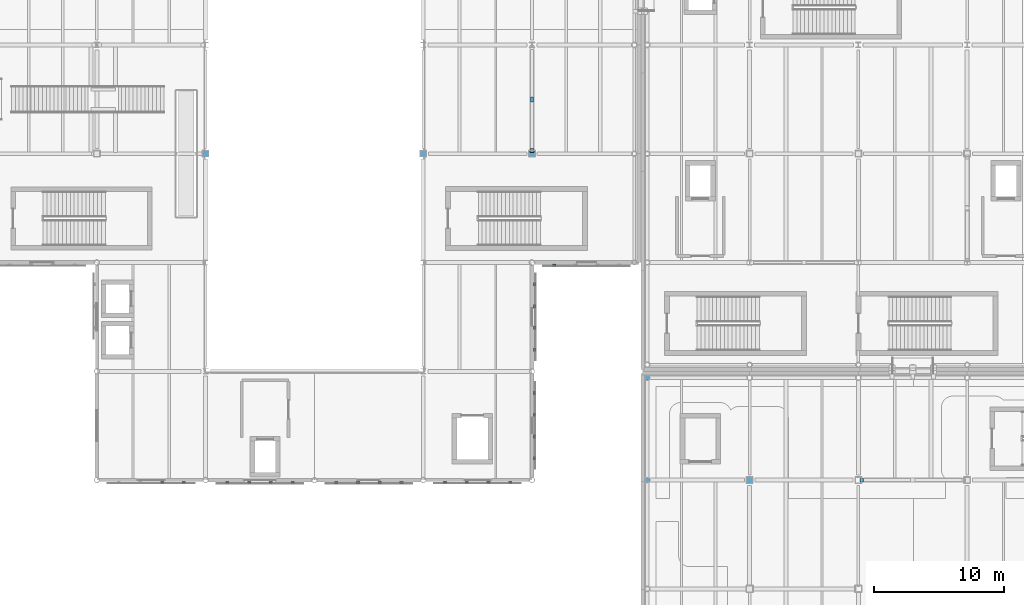
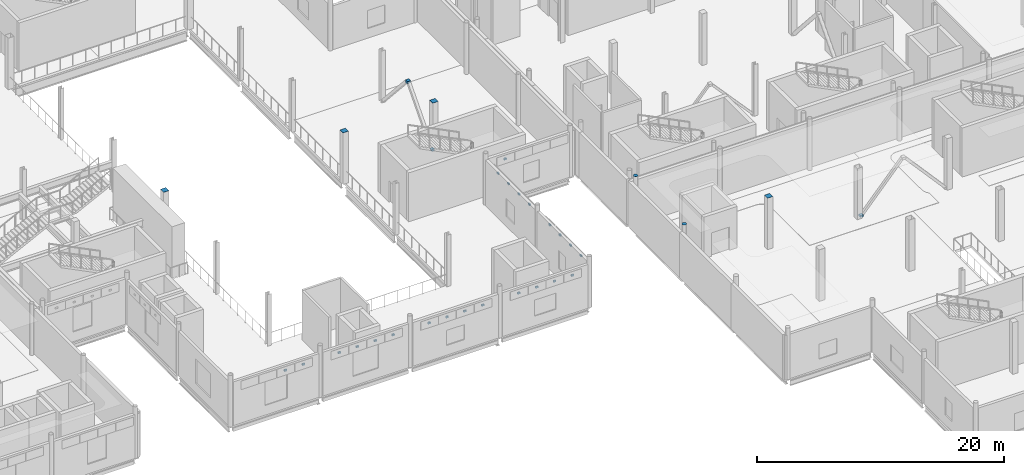
# One storey, part 79 of 104: 32 discrete accessories.
"""IFC4 building model written with IfcOpenShell, lengths in metres."""

from ifc_helpers import new_model, si_unit, direction, frame, origin, origin_2d, place, context, subcontext, project, spatial, rectangle, circle, extrude, material, type_object, element, save


model = new_model("IFC4")

# Units and contexts
model_context = context("Model", 3, precision=1e-05, world=origin(), true_north=direction((0.0, 1.0)))
body_context = subcontext(model_context, "Body", "Model", "MODEL_VIEW")
ifc_project = project(units=[si_unit("LENGTHUNIT", "METRE"), si_unit("AREAUNIT", "SQUARE_METRE"), si_unit("VOLUMEUNIT", "CUBIC_METRE"), si_unit("PLANEANGLEUNIT", "RADIAN"), si_unit("MASSUNIT", "GRAM", prefix="KILO"), si_unit("THERMODYNAMICTEMPERATUREUNIT", "KELVIN")], contexts=[model_context])

# Site, building, storey
site_placement = place(None, origin())
site = spatial("IfcSite", under=ifc_project, at=site_placement, CompositionType="ELEMENT")
building_placement = place(site_placement, origin())
building = spatial("IfcBuilding", under=site, at=building_placement, Name="Lustrewick Department Store", CompositionType="ELEMENT")
storey_placement = place(building_placement, frame((0.0, 0.0, 11.39990234375)))
storey = spatial("IfcBuildingStorey", under=building, at=storey_placement, Name="L03", CompositionType="ELEMENT", Elevation=11.39990234375)

# Discrete accessories
ifc_material_1 = material(Name="Anodized filigree aluminium 6061-T6", Category="aluminium")
discrete_accessory_type_1 = type_object("IfcDiscreteAccessoryType", Name="BRK-FIL", PredefinedType="BRACKET", material=ifc_material_1)
for number, where, z_axis, x_axis, name in (
    (1, (72.239990234375, 41.820068359375, 3.7509765625), (0.0, 0.0, 1.0), (1.0, 0.0, 0.0), "L03 Filigree Stand-Off Bracket 0283"),
    (2, (73.919921875, 41.820068359375, 3.7509765625), (0.0, 0.0, 1.0), (1.0, 0.0, 0.0), "L03 Filigree Stand-Off Bracket 0284"),
    (3, (77.280029296875, 41.81005859375, 3.7509765625), (0.0, 0.0, 1.0), (1.0, 0.0, 0.0), "L03 Filigree Stand-Off Bracket 0285"),
    (4, (78.9599609375, 41.81005859375, 3.7509765625), (0.0, 0.0, 1.0), (1.0, 0.0, 0.0), "L03 Filigree Stand-Off Bracket 0286"),
    (5, (80.639892578125, 41.81005859375, 3.7509765625), (0.0, 0.0, 1.0), (1.0, 0.0, 0.0), "L03 Filigree Stand-Off Bracket 0287"),
    (6, (82.320068359375, 41.81005859375, 3.7509765625), (0.0, 0.0, 1.0), (1.0, 0.0, 0.0), "L03 Filigree Stand-Off Bracket 0288"),
    (7, (85.679931640625, 41.800048828125, 3.7509765625), (0.0, 0.0, 1.0), (1.0, 0.0, 0.0), "L03 Filigree Stand-Off Bracket 0289"),
    (8, (87.360107421875, 41.800048828125, 3.7509765625), (0.0, 0.0, 1.0), (1.0, 0.0, 0.0), "L03 Filigree Stand-Off Bracket 0290"),
    (9, (89.0400390625, 41.800048828125, 3.7509765625), (0.0, 0.0, 1.0), (1.0, 0.0, 0.0), "L03 Filigree Stand-Off Bracket 0291"),
    (10, (90.719970703125, 41.800048828125, 3.7509765625), (0.0, 0.0, 1.0), (1.0, 0.0, 0.0), "L03 Filigree Stand-Off Bracket 0292"),
    (11, (94.080078125, 41.820068359375, 3.7509765625), (0.0, 0.0, 1.0), (1.0, 0.0, 0.0), "L03 Filigree Stand-Off Bracket 0293"),
    (12, (95.760009765625, 41.820068359375, 3.7509765625), (0.0, 0.0, 1.0), (1.0, 0.0, 0.0), "L03 Filigree Stand-Off Bracket 0294"),
    (13, (97.43994140625, 41.820068359375, 3.7509765625), (0.0, 0.0, 1.0), (1.0, 0.0, 0.0), "L03 Filigree Stand-Off Bracket 0295"),
    (14, (99.1201171875, 41.820068359375, 3.7509765625), (0.0, 0.0, 1.0), (1.0, 0.0, 0.0), "L03 Filigree Stand-Off Bracket 0296"),
    (15, (100.989990234375, 43.687255859375, 3.9072265625), (0.0, 0.0, 1.0), (0.0, 1.0, 0.0), "L03 Filigree Stand-Off Bracket 0297"),
    (16, (100.989990234375, 45.3671875, 3.9072265625), (0.0, 0.0, 1.0), (0.0, 1.0, 0.0), "L03 Filigree Stand-Off Bracket 0298"),
    (17, (100.989990234375, 47.04736328125, 3.9072265625), (0.0, 0.0, 1.0), (0.0, 1.0, 0.0), "L03 Filigree Stand-Off Bracket 0299"),
    (18, (100.989990234375, 48.727294921875, 3.9072265625), (0.0, 0.0, 1.0), (0.0, 1.0, 0.0), "L03 Filigree Stand-Off Bracket 0300"),
    (19, (101.0, 52.07275390625, 3.9072265625), (0.0, 0.0, 1.0), (0.0, 1.0, 0.0), "L03 Filigree Stand-Off Bracket 0301"),
    (20, (101.0, 53.752685546875, 3.9072265625), (0.0, 0.0, 1.0), (0.0, 1.0, 0.0), "L03 Filigree Stand-Off Bracket 0302"),
    (21, (101.0, 55.4326171875, 3.9072265625), (0.0, 0.0, 1.0), (0.0, 1.0, 0.0), "L03 Filigree Stand-Off Bracket 0303"),
    (22, (101.0, 57.11279296875, 3.9072265625), (0.0, 0.0, 1.0), (0.0, 1.0, 0.0), "L03 Filigree Stand-Off Bracket 0304"),
    (23, (102.50390625, 58.60009765625, 3.9072265625), (0.0, 0.0, 1.0), (1.0, 0.0, 0.0), "L03 Filigree Stand-Off Bracket 0305"),
):
    element("IfcDiscreteAccessory", number, at=place(storey_placement, frame(where, z_axis=z_axis, x_axis=x_axis)), inside=storey, type_object=discrete_accessory_type_1, Name=name, PredefinedType="BRACKET", context=body_context, shape_type="SweptSolid", body=[
        extrude(rectangle(XDim=0.239990234375, YDim=0.139892578125, at=origin_2d()), origin(), (0.0, 0.0, 1.0), 0.159912109375),
    ])
ifc_material_2 = material(Name="Structural steel Q355C", Category="steel")
discrete_accessory_type_2 = type_object("IfcDiscreteAccessoryType", Name="GUS-NODE", PredefinedType="BRACKET", material=ifc_material_2)
discrete_accessory_1_placement = place(storey_placement, frame((100.800048828125, 67.449951171875, 0.06005859375), z_axis=(0.0, 0.0, 1.0), x_axis=(1.0, 0.0, 0.0)))
element("IfcDiscreteAccessory", 24, at=discrete_accessory_1_placement, inside=storey, type_object=discrete_accessory_type_2, Name="L03 V2 Brace Base Gusset Plate", PredefinedType="BRACKET", context=body_context, shape_type="SweptSolid", body=[
    extrude(rectangle(XDim=0.280029296875, YDim=0.280029296875, at=origin_2d()), origin(), (0.0, 0.0, 1.0), 0.179931640625),
])
discrete_accessory_2_placement = place(storey_placement, frame((100.800048828125, 71.39990234375, 4.38525390625), z_axis=(0.0, 0.0, 1.0), x_axis=(1.0, 0.0, 0.0)))
element("IfcDiscreteAccessory", 25, at=discrete_accessory_2_placement, inside=storey, type_object=discrete_accessory_type_2, Name="L03 V2 Chevron Brace Apex Gusset Plate", PredefinedType="BRACKET", context=body_context, shape_type="SweptSolid", body=[
    extrude(rectangle(XDim=0.320068359375, YDim=0.320068359375, at=origin_2d()), origin(), (0.0, 0.0, 1.0), 0.219970703125),
])
discrete_accessory_3_placement = place(storey_placement, frame((126.25, 42.0, 0.06005859375), z_axis=(0.0, 0.0, 1.0), x_axis=(1.0, 0.0, 0.0)))
element("IfcDiscreteAccessory", 26, at=discrete_accessory_3_placement, inside=storey, type_object=discrete_accessory_type_2, Name="L03 V3 Brace Base Gusset Plate", PredefinedType="BRACKET", context=body_context, shape_type="SweptSolid", body=[
    extrude(rectangle(XDim=0.280029296875, YDim=0.280029296875, at=origin_2d()), origin(), (0.0, 0.0, 1.0), 0.179931640625),
])
discrete_accessory_type_3 = type_object("IfcDiscreteAccessoryType", Name="ECP-01", PredefinedType="USERDEFINED", material=ifc_material_2)
discrete_accessory_4_placement = place(storey_placement, frame((109.699951171875, 42.0, 5.093994140625), z_axis=(0.0, 0.0, 1.0), x_axis=(1.0, 0.0, 0.0)))
element("IfcDiscreteAccessory", 27, at=discrete_accessory_4_placement, inside=storey, type_object=discrete_accessory_type_3, Name="L03 Welded Hollow-Section End-Cap Plate ECP-01", ObjectType="END_CAP_PLATE", PredefinedType="USERDEFINED", context=body_context, shape_type="SweptSolid", body=[
    extrude(circle(Radius=0.1884765625, at=origin_2d()), origin(), (0.0, 0.0, 1.0), 0.01611328125),
])
for number, where, z_axis, x_axis, name in (
    (28, (92.39990234375, 67.199951171875, 5.093994140625), (0.0, 0.0, 1.0), (1.0, 0.0, 0.0), "L03 Welded Hollow-Section End-Cap Plate ECP-01"),
    (29, (100.800048828125, 67.199951171875, 5.093994140625), (0.0, 0.0, 1.0), (1.0, 0.0, 0.0), "L03 Welded Hollow-Section End-Cap Plate ECP-01"),
):
    element("IfcDiscreteAccessory", number, at=place(storey_placement, frame(where, z_axis=z_axis, x_axis=x_axis)), inside=storey, type_object=discrete_accessory_type_3, Name=name, ObjectType="END_CAP_PLATE", PredefinedType="USERDEFINED", context=body_context, shape_type="SweptSolid", body=[
        extrude(rectangle(XDim=0.5, YDim=0.5, at=origin_2d()), origin(), (0.0, 0.0, 1.0), 0.01611328125),
    ])
discrete_accessory_5_placement = place(storey_placement, frame((109.699951171875, 49.89990234375, 5.093994140625), z_axis=(0.0, 0.0, 1.0), x_axis=(1.0, 0.0, 0.0)))
element("IfcDiscreteAccessory", 30, at=discrete_accessory_5_placement, inside=storey, type_object=discrete_accessory_type_3, Name="L03 Welded Hollow-Section End-Cap Plate ECP-01", ObjectType="END_CAP_PLATE", PredefinedType="USERDEFINED", context=body_context, shape_type="SweptSolid", body=[
    extrude(circle(Radius=0.1884765625, at=origin_2d()), origin(), (0.0, 0.0, 1.0), 0.01611328125),
])
for number, where, z_axis, x_axis, name in (
    (31, (75.60009765625, 67.199951171875, 5.093994140625), (0.0, 0.0, 1.0), (1.0, 0.0, 0.0), "L03 Welded Hollow-Section End-Cap Plate ECP-01"),
    (32, (117.60009765625, 42.0, 5.093994140625), (0.0, 0.0, 1.0), (1.0, 0.0, 0.0), "L03 Welded Hollow-Section End-Cap Plate ECP-01"),
):
    element("IfcDiscreteAccessory", number, at=place(storey_placement, frame(where, z_axis=z_axis, x_axis=x_axis)), inside=storey, type_object=discrete_accessory_type_3, Name=name, ObjectType="END_CAP_PLATE", PredefinedType="USERDEFINED", context=body_context, shape_type="SweptSolid", body=[
        extrude(rectangle(XDim=0.5, YDim=0.5, at=origin_2d()), origin(), (0.0, 0.0, 1.0), 0.01611328125),
    ])

save(model, "model.ifc")
